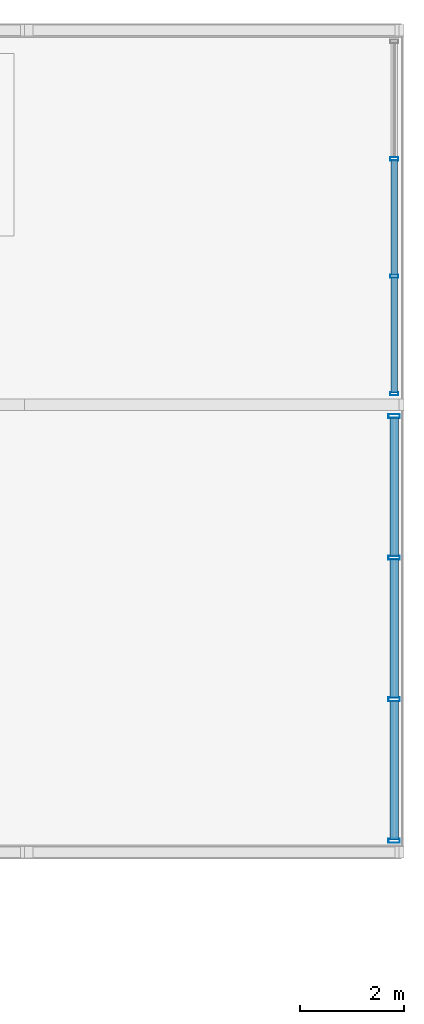
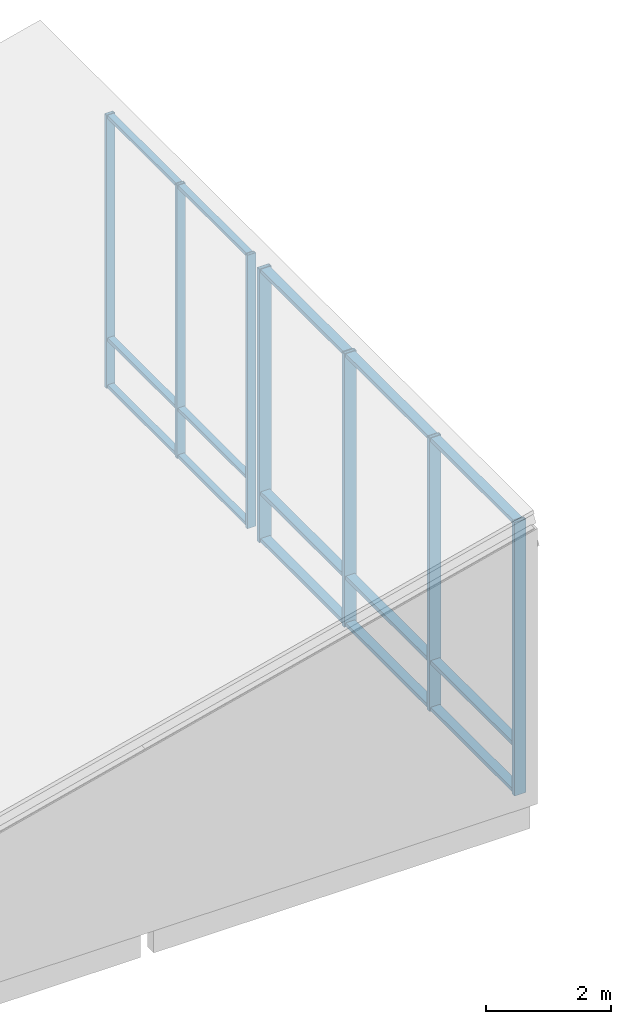
# One storey, part 31 of 57: 22 members, 2 elements without a shape of their own.
"""IFC4 building model written with IfcOpenShell, lengths in metres."""

from ifc_helpers import new_model, si_unit, direction, frame, origin, origin_2d, place, context, subcontext, project, spatial, hollow_rectangle, extrude, material, material_profile, profile_set, type_object, element, aggregate, save


model = new_model("IFC4")

# Units and contexts
model_context = context("Model", 3, precision=1e-05, world=origin(), true_north=direction((0.0, 1.0)))
body_context = subcontext(model_context, "Body", "Model", "MODEL_VIEW")
ifc_project = project(units=[si_unit("LENGTHUNIT", "METRE"), si_unit("AREAUNIT", "SQUARE_METRE"), si_unit("VOLUMEUNIT", "CUBIC_METRE"), si_unit("PLANEANGLEUNIT", "RADIAN"), si_unit("MASSUNIT", "GRAM", prefix="KILO")], contexts=[model_context])

# Site, building, storey
site_placement = place(None, origin())
site = spatial("IfcSite", under=ifc_project, at=site_placement, CompositionType="ELEMENT")
building_placement = place(site_placement, origin())
building = spatial("IfcBuilding", under=site, at=building_placement, Name="Hawrajan Terrace Health Centre", CompositionType="ELEMENT")
storey_placement = place(building_placement, frame((0.0, 0.0, 13.199951171875)))
storey = spatial("IfcBuildingStorey", under=building, at=storey_placement, Name="L03", CompositionType="ELEMENT", Elevation=13.199951171875)

# Curtain wall, members
ifc_material_1 = material(Name="Anodized bronze aluminium and low-E solar glazing", Category="aluminium")
curtain_wall_type = type_object("IfcCurtainWallType", Name="CW_Pavilion_SeriesE1", PredefinedType="USERDEFINED", material=ifc_material_1)
curtain_wall_1_placement = place(storey_placement, origin())
curtain_wall_1 = element("IfcCurtainWall", 1, at=curtain_wall_1_placement, inside=storey, type_object=curtain_wall_type, Name="Curtain wall CW-L03-V6E-189", ObjectType="UNITISED CURTAIN WALL", PredefinedType="USERDEFINED")
ifc_material_2 = material(Name="Anodized bronze aluminium 6063-T6", Category="aluminium")
ifc_material_profile_1 = material_profile(ifc_material_2, hollow_rectangle(XDim=0.06494140625, YDim=0.159912109375, WallThickness=0.00390625, at=origin_2d()), Name="CW MUL 65x160")
ifc_profile_set_1 = profile_set([ifc_material_profile_1], Name="Anodized bronze aluminium 6063-T6")
member_type_1 = type_object("IfcMemberType", Name="CWMullion_65x160", PredefinedType="MULLION", material=ifc_profile_set_1)
member_1_placement = place(storey_placement, frame((165.260009765625, 45.612548828125, -0.155029296875), z_axis=(0.0, 0.0, 1.0), x_axis=(0.0, 1.0, 0.0)))
member_1 = element("IfcMember", 2, at=member_1_placement, type_object=member_type_1, Name="Mullion CW-L03-V6E-189-M1", PredefinedType="MULLION", context=body_context, shape_type="SweptSolid", body=[
    extrude(hollow_rectangle(XDim=0.06494140625, YDim=0.159912109375, WallThickness=0.00390625, at=origin_2d()), origin(), (0.0, 0.0, 1.0), 5.345458984375),
])
member_2_placement = place(storey_placement, frame((165.260009765625, 47.870849609375, -0.155029296875), z_axis=(0.0, 0.0, 1.0), x_axis=(0.0, 1.0, 0.0)))
member_2 = element("IfcMember", 3, at=member_2_placement, type_object=member_type_1, Name="Mullion CW-L03-V6E-189-M2", PredefinedType="MULLION", context=body_context, shape_type="SweptSolid", body=[
    extrude(hollow_rectangle(XDim=0.06494140625, YDim=0.159912109375, WallThickness=0.00390625, at=origin_2d()), origin(), (0.0, 0.0, 1.0), 5.345458984375),
])
member_3_placement = place(storey_placement, frame((165.260009765625, 50.129150390625, -0.155029296875), z_axis=(0.0, 0.0, 1.0), x_axis=(0.0, 1.0, 0.0)))
member_3 = element("IfcMember", 4, at=member_3_placement, type_object=member_type_1, Name="Mullion CW-L03-V6E-189-M3", PredefinedType="MULLION", context=body_context, shape_type="SweptSolid", body=[
    extrude(hollow_rectangle(XDim=0.06494140625, YDim=0.159912109375, WallThickness=0.00390625, at=origin_2d()), origin(), (0.0, 0.0, 1.0), 5.345458984375),
])

curtain_wall_2_placement = place(storey_placement, origin())
curtain_wall_2 = element("IfcCurtainWall", 5, at=curtain_wall_2_placement, inside=storey, type_object=curtain_wall_type, Name="Curtain wall CW-L03-V6E-188", ObjectType="UNITISED CURTAIN WALL", PredefinedType="USERDEFINED")
ifc_material_profile_2 = material_profile(ifc_material_2, hollow_rectangle(XDim=0.074951171875, YDim=0.219970703125, WallThickness=0.0048828125, at=origin_2d()), Name="CW MUL 75x220")
ifc_profile_set_2 = profile_set([ifc_material_profile_2], Name="Anodized bronze aluminium 6063-T6")
member_type_2 = type_object("IfcMemberType", Name="CWMullion_75x220", PredefinedType="MULLION", material=ifc_profile_set_2)
member_4_placement = place(storey_placement, frame((165.260009765625, 37.017578125, -0.155029296875), z_axis=(0.0, 0.0, 1.0), x_axis=(0.0, 1.0, 0.0)))
member_4 = element("IfcMember", 6, at=member_4_placement, type_object=member_type_2, Name="Mullion CW-L03-V6E-188-M1", PredefinedType="MULLION", context=body_context, shape_type="SweptSolid", body=[
    extrude(hollow_rectangle(XDim=0.074951171875, YDim=0.219970703125, WallThickness=0.0048828125, at=origin_2d()), origin(), (0.0, 0.0, 1.0), 5.345458984375),
])
member_5_placement = place(storey_placement, frame((165.260009765625, 39.7392578125, -0.155029296875), z_axis=(0.0, 0.0, 1.0), x_axis=(0.0, 1.0, 0.0)))
member_5 = element("IfcMember", 7, at=member_5_placement, type_object=member_type_2, Name="Mullion CW-L03-V6E-188-M2", PredefinedType="MULLION", context=body_context, shape_type="SweptSolid", body=[
    extrude(hollow_rectangle(XDim=0.074951171875, YDim=0.219970703125, WallThickness=0.0048828125, at=origin_2d()), origin(), (0.0, 0.0, 1.0), 5.345458984375),
])
member_6_placement = place(storey_placement, frame((165.260009765625, 42.460693359375, -0.155029296875), z_axis=(0.0, 0.0, 1.0), x_axis=(0.0, 1.0, 0.0)))
member_6 = element("IfcMember", 8, at=member_6_placement, type_object=member_type_2, Name="Mullion CW-L03-V6E-188-M3", PredefinedType="MULLION", context=body_context, shape_type="SweptSolid", body=[
    extrude(hollow_rectangle(XDim=0.074951171875, YDim=0.219970703125, WallThickness=0.0048828125, at=origin_2d()), origin(), (0.0, 0.0, 1.0), 5.345458984375),
])
member_7_placement = place(storey_placement, frame((165.260009765625, 45.1826171875, -0.155029296875), z_axis=(0.0, 0.0, 1.0), x_axis=(0.0, 1.0, 0.0)))
member_7 = element("IfcMember", 9, at=member_7_placement, type_object=member_type_2, Name="Mullion CW-L03-V6E-188-M4", PredefinedType="MULLION", context=body_context, shape_type="SweptSolid", body=[
    extrude(hollow_rectangle(XDim=0.074951171875, YDim=0.219970703125, WallThickness=0.0048828125, at=origin_2d()), origin(), (0.0, 0.0, 1.0), 5.345458984375),
])

# Member
ifc_material_profile_3 = material_profile(ifc_material_2, hollow_rectangle(XDim=0.06494140625, YDim=0.1201171875, WallThickness=0.00341796875, at=origin_2d()), Name="CW TRN 65x120")
ifc_profile_set_3 = profile_set([ifc_material_profile_3], Name="Anodized bronze aluminium 6063-T6")
member_type_3 = type_object("IfcMemberType", Name="CWTransom_65x120", PredefinedType="USERDEFINED", material=ifc_profile_set_3)
member_8_placement = place(storey_placement, frame((165.260009765625, 45.638916015625, -0.117431640625), z_axis=(0.0, 1.0, 0.0), x_axis=(0.0, 0.0, 1.0)))
member_8 = element("IfcMember", 10, at=member_8_placement, type_object=member_type_3, Name="Transom CW-L03-V6E-189-T1-1", ObjectType="TRANSOM", PredefinedType="USERDEFINED", context=body_context, shape_type="SweptSolid", body=[
    extrude(hollow_rectangle(XDim=0.06494140625, YDim=0.1201171875, WallThickness=0.00341796875, at=origin_2d()), origin(), (0.0, 0.0, 1.0), 2.205322265625),
])

member_9_placement = place(storey_placement, frame((165.260009765625, 45.638916015625, 0.800048828125), z_axis=(0.0, 1.0, 0.0), x_axis=(0.0, 0.0, 1.0)))
member_9 = element("IfcMember", 11, at=member_9_placement, type_object=member_type_3, Name="Transom CW-L03-V6E-189-T1-2", ObjectType="TRANSOM", PredefinedType="USERDEFINED", context=body_context, shape_type="SweptSolid", body=[
    extrude(hollow_rectangle(XDim=0.06494140625, YDim=0.1201171875, WallThickness=0.00341796875, at=origin_2d()), origin(), (0.0, 0.0, 1.0), 2.205322265625),
])

member_10_placement = place(storey_placement, frame((165.260009765625, 45.638916015625, 5.153076171875), z_axis=(0.0, 1.0, 0.0), x_axis=(0.0, 0.0, 1.0)))
member_10 = element("IfcMember", 12, at=member_10_placement, type_object=member_type_3, Name="Transom CW-L03-V6E-189-T1-3", ObjectType="TRANSOM", PredefinedType="USERDEFINED", context=body_context, shape_type="SweptSolid", body=[
    extrude(hollow_rectangle(XDim=0.06494140625, YDim=0.1201171875, WallThickness=0.00341796875, at=origin_2d()), origin(), (0.0, 0.0, 1.0), 2.205322265625),
])

member_11_placement = place(storey_placement, frame((165.260009765625, 47.897216796875, -0.117431640625), z_axis=(0.0, 1.0, 0.0), x_axis=(0.0, 0.0, 1.0)))
member_11 = element("IfcMember", 13, at=member_11_placement, type_object=member_type_3, Name="Transom CW-L03-V6E-189-T2-1", ObjectType="TRANSOM", PredefinedType="USERDEFINED", context=body_context, shape_type="SweptSolid", body=[
    extrude(hollow_rectangle(XDim=0.06494140625, YDim=0.1201171875, WallThickness=0.00341796875, at=origin_2d()), origin(), (0.0, 0.0, 1.0), 2.20556640625),
])

member_12_placement = place(storey_placement, frame((165.260009765625, 47.897216796875, 0.800048828125), z_axis=(0.0, 1.0, 0.0), x_axis=(0.0, 0.0, 1.0)))
member_12 = element("IfcMember", 14, at=member_12_placement, type_object=member_type_3, Name="Transom CW-L03-V6E-189-T2-2", ObjectType="TRANSOM", PredefinedType="USERDEFINED", context=body_context, shape_type="SweptSolid", body=[
    extrude(hollow_rectangle(XDim=0.06494140625, YDim=0.1201171875, WallThickness=0.00341796875, at=origin_2d()), origin(), (0.0, 0.0, 1.0), 2.20556640625),
])

member_13_placement = place(storey_placement, frame((165.260009765625, 47.897216796875, 5.153076171875), z_axis=(0.0, 1.0, 0.0), x_axis=(0.0, 0.0, 1.0)))
member_13 = element("IfcMember", 15, at=member_13_placement, type_object=member_type_3, Name="Transom CW-L03-V6E-189-T2-3", ObjectType="TRANSOM", PredefinedType="USERDEFINED", context=body_context, shape_type="SweptSolid", body=[
    extrude(hollow_rectangle(XDim=0.06494140625, YDim=0.1201171875, WallThickness=0.00341796875, at=origin_2d()), origin(), (0.0, 0.0, 1.0), 2.20556640625),
])

aggregate(curtain_wall_1, [member_1, member_2, member_3, member_8, member_9, member_10, member_11, member_12, member_13])

ifc_material_profile_4 = material_profile(ifc_material_2, hollow_rectangle(XDim=0.074951171875, YDim=0.169921875, WallThickness=0.00439453125, at=origin_2d()), Name="CW TRN 75x170")
ifc_profile_set_4 = profile_set([ifc_material_profile_4], Name="Anodized bronze aluminium 6063-T6")
member_type_4 = type_object("IfcMemberType", Name="CWTransom_75x170", PredefinedType="USERDEFINED", material=ifc_profile_set_4)
member_14_placement = place(storey_placement, frame((165.260009765625, 37.049072265625, -0.112548828125), z_axis=(0.0, 1.0, 0.0), x_axis=(0.0, 0.0, 1.0)))
member_14 = element("IfcMember", 16, at=member_14_placement, type_object=member_type_4, Name="Transom CW-L03-V6E-188-T1-1", ObjectType="TRANSOM", PredefinedType="USERDEFINED", context=body_context, shape_type="SweptSolid", body=[
    extrude(hollow_rectangle(XDim=0.074951171875, YDim=0.169921875, WallThickness=0.00439453125, at=origin_2d()), origin(), (0.0, 0.0, 1.0), 2.65869140625),
])

member_15_placement = place(storey_placement, frame((165.260009765625, 37.049072265625, 0.800048828125), z_axis=(0.0, 1.0, 0.0), x_axis=(0.0, 0.0, 1.0)))
member_15 = element("IfcMember", 17, at=member_15_placement, type_object=member_type_4, Name="Transom CW-L03-V6E-188-T1-2", ObjectType="TRANSOM", PredefinedType="USERDEFINED", context=body_context, shape_type="SweptSolid", body=[
    extrude(hollow_rectangle(XDim=0.074951171875, YDim=0.169921875, WallThickness=0.00439453125, at=origin_2d()), origin(), (0.0, 0.0, 1.0), 2.65869140625),
])

member_16_placement = place(storey_placement, frame((165.260009765625, 37.049072265625, 5.14794921875), z_axis=(0.0, 1.0, 0.0), x_axis=(0.0, 0.0, 1.0)))
member_16 = element("IfcMember", 18, at=member_16_placement, type_object=member_type_4, Name="Transom CW-L03-V6E-188-T1-3", ObjectType="TRANSOM", PredefinedType="USERDEFINED", context=body_context, shape_type="SweptSolid", body=[
    extrude(hollow_rectangle(XDim=0.074951171875, YDim=0.169921875, WallThickness=0.00439453125, at=origin_2d()), origin(), (0.0, 0.0, 1.0), 2.65869140625),
])

member_17_placement = place(storey_placement, frame((165.260009765625, 39.770751953125, -0.112548828125), z_axis=(0.0, 1.0, 0.0), x_axis=(0.0, 0.0, 1.0)))
member_17 = element("IfcMember", 19, at=member_17_placement, type_object=member_type_4, Name="Transom CW-L03-V6E-188-T2-1", ObjectType="TRANSOM", PredefinedType="USERDEFINED", context=body_context, shape_type="SweptSolid", body=[
    extrude(hollow_rectangle(XDim=0.074951171875, YDim=0.169921875, WallThickness=0.00439453125, at=origin_2d()), origin(), (0.0, 0.0, 1.0), 2.658447265625),
])

member_18_placement = place(storey_placement, frame((165.260009765625, 39.770751953125, 0.800048828125), z_axis=(0.0, 1.0, 0.0), x_axis=(0.0, 0.0, 1.0)))
member_18 = element("IfcMember", 20, at=member_18_placement, type_object=member_type_4, Name="Transom CW-L03-V6E-188-T2-2", ObjectType="TRANSOM", PredefinedType="USERDEFINED", context=body_context, shape_type="SweptSolid", body=[
    extrude(hollow_rectangle(XDim=0.074951171875, YDim=0.169921875, WallThickness=0.00439453125, at=origin_2d()), origin(), (0.0, 0.0, 1.0), 2.658447265625),
])

member_19_placement = place(storey_placement, frame((165.260009765625, 39.770751953125, 5.14794921875), z_axis=(0.0, 1.0, 0.0), x_axis=(0.0, 0.0, 1.0)))
member_19 = element("IfcMember", 21, at=member_19_placement, type_object=member_type_4, Name="Transom CW-L03-V6E-188-T2-3", ObjectType="TRANSOM", PredefinedType="USERDEFINED", context=body_context, shape_type="SweptSolid", body=[
    extrude(hollow_rectangle(XDim=0.074951171875, YDim=0.169921875, WallThickness=0.00439453125, at=origin_2d()), origin(), (0.0, 0.0, 1.0), 2.658447265625),
])

member_20_placement = place(storey_placement, frame((165.260009765625, 42.4921875, -0.112548828125), z_axis=(0.0, 1.0, 0.0), x_axis=(0.0, 0.0, 1.0)))
member_20 = element("IfcMember", 22, at=member_20_placement, type_object=member_type_4, Name="Transom CW-L03-V6E-188-T3-1", ObjectType="TRANSOM", PredefinedType="USERDEFINED", context=body_context, shape_type="SweptSolid", body=[
    extrude(hollow_rectangle(XDim=0.074951171875, YDim=0.169921875, WallThickness=0.00439453125, at=origin_2d()), origin(), (0.0, 0.0, 1.0), 2.65869140625),
])

member_21_placement = place(storey_placement, frame((165.260009765625, 42.4921875, 0.800048828125), z_axis=(0.0, 1.0, 0.0), x_axis=(0.0, 0.0, 1.0)))
member_21 = element("IfcMember", 23, at=member_21_placement, type_object=member_type_4, Name="Transom CW-L03-V6E-188-T3-2", ObjectType="TRANSOM", PredefinedType="USERDEFINED", context=body_context, shape_type="SweptSolid", body=[
    extrude(hollow_rectangle(XDim=0.074951171875, YDim=0.169921875, WallThickness=0.00439453125, at=origin_2d()), origin(), (0.0, 0.0, 1.0), 2.65869140625),
])

member_22_placement = place(storey_placement, frame((165.260009765625, 42.4921875, 5.14794921875), z_axis=(0.0, 1.0, 0.0), x_axis=(0.0, 0.0, 1.0)))
member_22 = element("IfcMember", 24, at=member_22_placement, type_object=member_type_4, Name="Transom CW-L03-V6E-188-T3-3", ObjectType="TRANSOM", PredefinedType="USERDEFINED", context=body_context, shape_type="SweptSolid", body=[
    extrude(hollow_rectangle(XDim=0.074951171875, YDim=0.169921875, WallThickness=0.00439453125, at=origin_2d()), origin(), (0.0, 0.0, 1.0), 2.65869140625),
])

aggregate(curtain_wall_2, [member_4, member_5, member_6, member_7, member_14, member_15, member_16, member_17, member_18, member_19, member_20, member_21, member_22])

save(model, "model.ifc")
